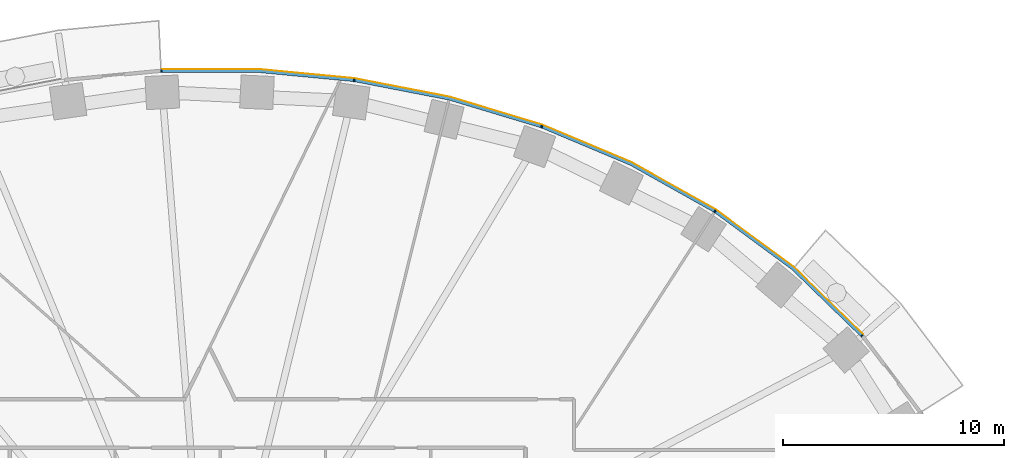
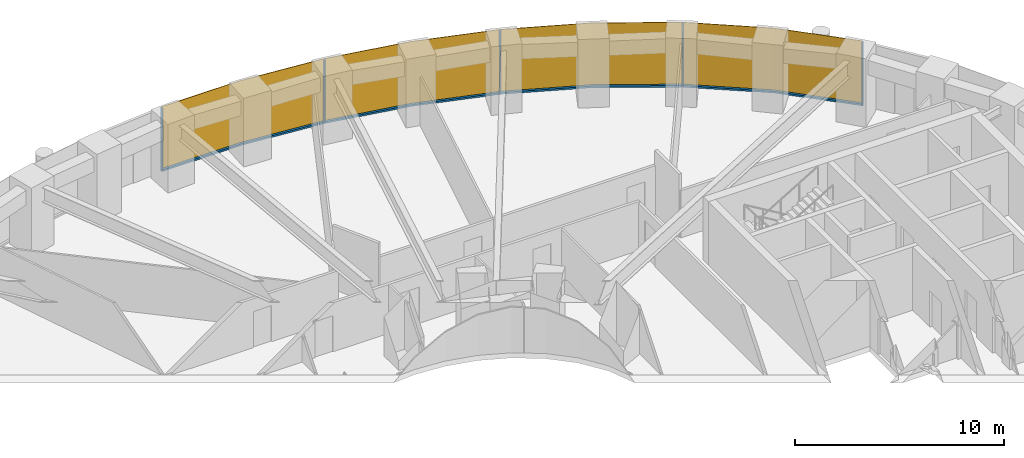
# One storey, part 13 of 16: 9 members, 1 curtain wall.
"""IFC4 building model written with IfcOpenShell, lengths in metres."""

from ifc_helpers import new_model, si_unit, direction, frame, origin, origin_2d, place, context, subcontext, project, spatial, polyline, rectangle, outline, extrude, material, layer, layer_set, material_profile, profile_set, type_object, element, aggregate, save


model = new_model("IFC4")

# Units and contexts
model_context = context("Model", 3, precision=1e-05, world=origin(), true_north=direction((0.0, 1.0)))
body_context = subcontext(model_context, "Body", "Model", "MODEL_VIEW")
ifc_project = project(units=[si_unit("LENGTHUNIT", "METRE"), si_unit("AREAUNIT", "SQUARE_METRE"), si_unit("VOLUMEUNIT", "CUBIC_METRE"), si_unit("PLANEANGLEUNIT", "RADIAN"), si_unit("MASSUNIT", "GRAM", prefix="KILO")], contexts=[model_context])

# Member
ifc_material_1 = material(Name="Aluminium 6063-T6 black anodised", Category="aluminium")
ifc_material_profile = material_profile(ifc_material_1, rectangle(XDim=0.1201171875, YDim=0.06005859375, at=origin_2d()), Name="120x60")
ifc_profile_set = profile_set([ifc_material_profile], Name="Aluminium 6063-T6 black anodised")
member_type_1 = type_object("IfcMemberType", Name="ENV-MULLION-A-120", PredefinedType="MULLION", material=ifc_profile_set)
site_placement = place(None, origin())
building_placement = place(site_placement, origin())
storey_placement = place(building_placement, frame((0.0, 0.0, 54.5)))
member_1_placement = place(storey_placement, frame((29.53857421875, 15.8671875, 0.0), z_axis=(0.0, 0.0, 1.0), x_axis=(-0.749047221705, -0.662516610853, 0.0)))
member_1 = element("IfcMember", 1, at=member_1_placement, type_object=member_type_1, Name="Mullion A radial 05", PredefinedType="MULLION", context=body_context, shape_type="SweptSolid", body=[
    extrude(rectangle(XDim=0.1201171875, YDim=0.06005859375, at=origin_2d()), origin(), (0.0, 0.0, 1.0), 3.699951171875),
])

member_2_placement = place(storey_placement, frame((22.882568359375, 21.506591796875, 0.0), z_axis=(0.0, 0.0, 1.0), x_axis=(-0.542279153225, -0.840198381323, 0.0)))
member_2 = element("IfcMember", 2, at=member_2_placement, type_object=member_type_1, Name="Mullion A radial 07", PredefinedType="MULLION", context=body_context, shape_type="SweptSolid", body=[
    extrude(rectangle(XDim=0.1201171875, YDim=0.06005859375, at=origin_2d()), origin(), (0.0, 0.0, 1.0), 3.699951171875),
])

member_3_placement = place(storey_placement, frame((15.0341796875, 25.34375, 0.0), z_axis=(0.0, 0.0, 1.0), x_axis=(-0.338379256581, -0.941009818608, 0.0)))
member_3 = element("IfcMember", 3, at=member_3_placement, type_object=member_type_1, Name="Mullion A radial 09", PredefinedType="MULLION", context=body_context, shape_type="SweptSolid", body=[
    extrude(rectangle(XDim=0.1201171875, YDim=0.06005859375, at=origin_2d()), origin(), (0.0, 0.0, 1.0), 3.699951171875),
])

member_4_placement = place(storey_placement, frame((6.54638671875, 27.440185546875, 0.0), z_axis=(0.0, 0.0, 1.0), x_axis=(-0.143082012705, -0.989710835366, 0.0)))
member_4 = element("IfcMember", 4, at=member_4_placement, type_object=member_type_1, Name="Mullion A radial 11", PredefinedType="MULLION", context=body_context, shape_type="SweptSolid", body=[
    extrude(rectangle(XDim=0.1201171875, YDim=0.06005859375, at=origin_2d()), origin(), (0.0, 0.0, 1.0), 3.699951171875),
])

member_5_placement = place(storey_placement, frame((-2.188720703125, 27.856201171875, 0.0), z_axis=(0.0, 0.0, 1.0), x_axis=(0.047557873581, -0.998868484166, 0.0)))
member_5 = element("IfcMember", 5, at=member_5_placement, type_object=member_type_1, Name="Mullion A radial 13", PredefinedType="MULLION", context=body_context, shape_type="SweptSolid", body=[
    extrude(rectangle(XDim=0.1201171875, YDim=0.06005859375, at=origin_2d()), origin(), (0.0, 0.0, 1.0), 3.699951171875),
])

ifc_material_2 = material(Name="Aluminium 6063-T6 black anodised", Category="aluminium")
member_type_2 = type_object("IfcMemberType", Name="ENV-TRANSOM-A", PredefinedType="USERDEFINED", material=ifc_material_2)
member_6_placement = place(storey_placement, origin())
member_6 = element("IfcMember", 6, at=member_6_placement, type_object=member_type_2, Name="Transom A radial 05-07", ObjectType="TRANSOM", PredefinedType="USERDEFINED", context=body_context, shape_type="SweptSolid", body=[
    extrude(outline(polyline([(29.5634765625, 15.926513671875), (26.4423828125, 18.958740234375), (22.937744140625, 21.540283203125), (22.87255859375, 21.439208984375), (26.364501953125, 18.866943359375), (29.473388671875, 15.8466796875), (29.5634765625, 15.926513671875)])), origin(), (0.0, 0.0, 1.0), 0.10009765625),
])

member_7_placement = place(storey_placement, origin())
member_7 = element("IfcMember", 7, at=member_7_placement, type_object=member_type_2, Name="Transom A radial 07-09", ObjectType="TRANSOM", PredefinedType="USERDEFINED", context=body_context, shape_type="SweptSolid", body=[
    extrude(outline(polyline([(22.890625, 21.570556640625), (19.093994140625, 23.701416015625), (15.080322265625, 25.389404296875), (15.03955078125, 25.276123046875), (19.041259765625, 23.593505859375), (22.825439453125, 21.469482421875), (22.890625, 21.570556640625)])), origin(), (0.0, 0.0, 1.0), 0.10009765625),
])

member_8_placement = place(storey_placement, origin())
member_8 = element("IfcMember", 8, at=member_8_placement, type_object=member_type_2, Name="Transom A radial 09-11", ObjectType="TRANSOM", PredefinedType="USERDEFINED", context=body_context, shape_type="SweptSolid", body=[
    extrude(outline(polyline([(15.027587890625, 25.408203125), (10.857666015625, 26.6630859375), (6.58251953125, 27.494140625), (6.5654296875, 27.375244140625), (10.828857421875, 26.54638671875), (14.987060546875, 25.295166015625), (15.027587890625, 25.408203125)])), origin(), (0.0, 0.0, 1.0), 0.10009765625),
])

member_9_placement = place(storey_placement, origin())
member_9 = element("IfcMember", 9, at=member_9_placement, type_object=member_type_2, Name="Transom A radial 11-13", ObjectType="TRANSOM", PredefinedType="USERDEFINED", context=body_context, shape_type="SweptSolid", body=[
    extrude(outline(polyline([(6.527099609375, 27.502197265625), (2.191650390625, 27.916015625), (-2.163818359375, 27.916015625), (-2.157958984375, 27.7958984375), (2.185791015625, 27.7958984375), (6.510009765625, 27.38330078125), (6.527099609375, 27.502197265625)])), origin(), (0.0, 0.0, 1.0), 0.10009765625),
])

# Site, building, storey
site = spatial("IfcSite", under=ifc_project, at=site_placement, CompositionType="ELEMENT")
building = spatial("IfcBuilding", under=site, at=building_placement, Name="Noorbagh Ring Tower", CompositionType="ELEMENT")
storey = spatial("IfcBuildingStorey", under=building, at=storey_placement, Name="L11", CompositionType="ELEMENT", Elevation=54.5)

# Curtain wall
ifc_material_3 = material(Name="Glass dark tinted laminated", Category="glass")
ifc_layer = layer(ifc_material_3, 0.031982421875)
ifc_layer_set = layer_set([ifc_layer], Name="Glass dark tinted laminated")
curtain_wall_type = type_object("IfcCurtainWallType", Name="ENV-CW-A", PredefinedType="NOTDEFINED", material=ifc_layer_set)
curtain_wall_placement = place(storey_placement, origin())
curtain_wall = element("IfcCurtainWall", 10, at=curtain_wall_placement, inside=storey, type_object=curtain_wall_type, Name="Curtain wall A R05", PredefinedType="NOTDEFINED", context=body_context, shape_type="SweptSolid", body=[
    extrude(outline(polyline([(29.59326171875, 15.942138671875), (26.463134765625, 18.9833984375), (22.9326171875, 21.583740234375), (19.108154296875, 23.730224609375), (15.065185546875, 25.430419921875), (10.865234375, 26.6943359375), (6.559814453125, 27.53125), (2.193115234375, 27.947998046875), (-2.173095703125, 27.947998046875), (-2.171630859375, 27.916015625), (2.191650390625, 27.916015625), (6.55517578125, 27.49951171875), (10.857666015625, 26.6630859375), (15.054443359375, 25.400146484375), (19.093994140625, 23.701416015625), (22.9150390625, 21.556884765625), (26.4423828125, 18.958740234375), (29.569091796875, 15.9208984375), (29.59326171875, 15.942138671875)])), origin(), (0.0, 0.0, 1.0), 3.699951171875),
])

aggregate(curtain_wall, [member_1, member_2, member_3, member_4, member_5, member_6, member_7, member_8, member_9])

save(model, "model.ifc")
